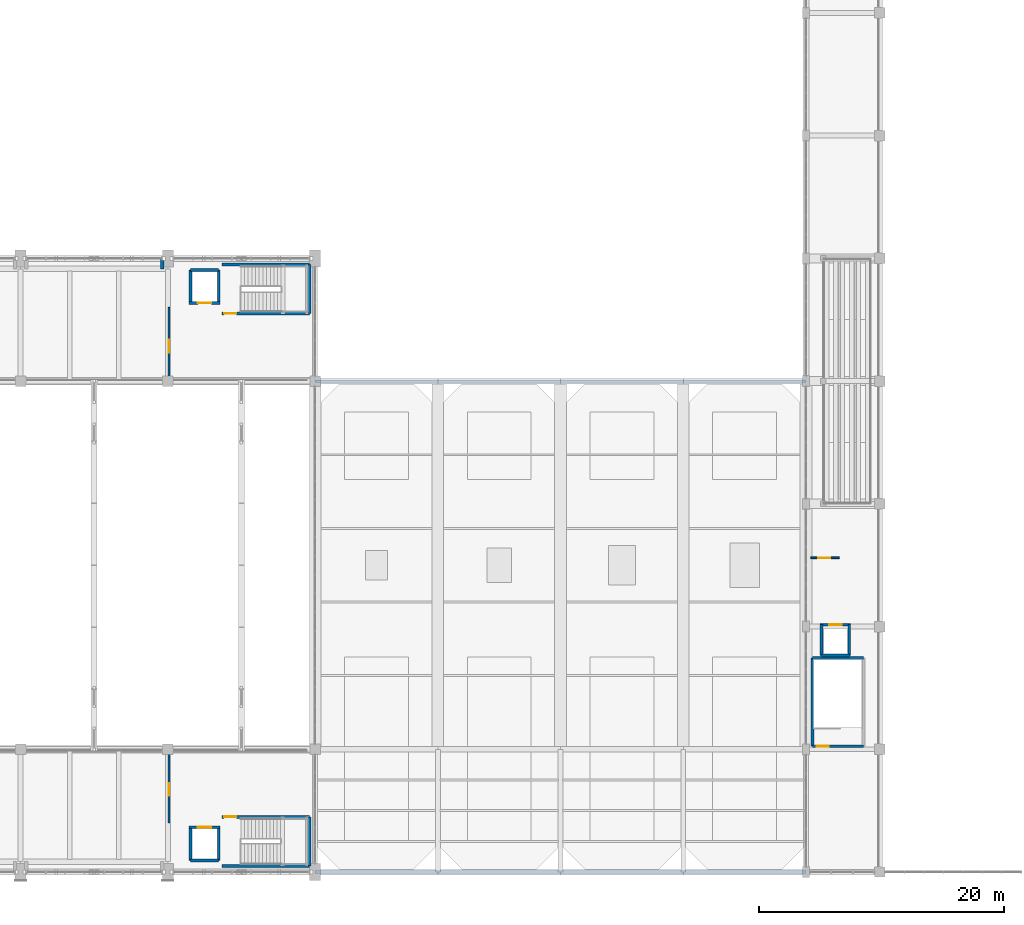
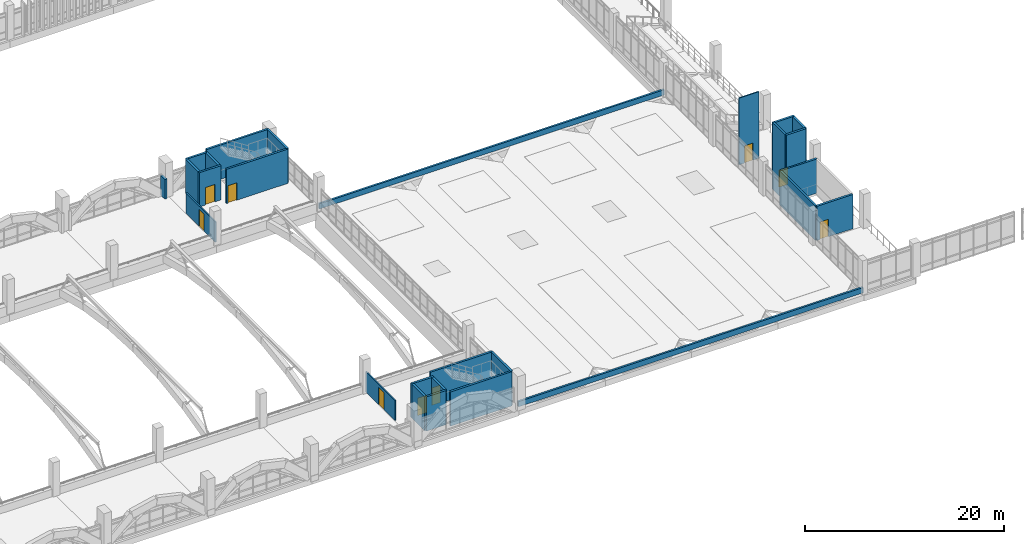
# One storey, part 146 of 161: 27 walls, 9 doors, 9 openings.
"""IFC4 building model written with IfcOpenShell, lengths in metres."""

from ifc_helpers import new_model, si_unit, direction, frame, frame_2d, origin, place, context, subcontext, project, spatial, rectangle, extrude, material, layer, layer_set, type_object, element, fill, save


model = new_model("IFC4")

# Units and contexts
model_context = context("Model", 3, precision=1e-05, world=origin(), true_north=direction((0.0, 1.0)))
body_context = subcontext(model_context, "Body", "Model", "MODEL_VIEW")
ifc_project = project(units=[si_unit("LENGTHUNIT", "METRE"), si_unit("AREAUNIT", "SQUARE_METRE"), si_unit("VOLUMEUNIT", "CUBIC_METRE"), si_unit("PLANEANGLEUNIT", "RADIAN"), si_unit("MASSUNIT", "GRAM", prefix="KILO")], contexts=[model_context])

# Site, building, storey
site_placement = place(None, origin())
site = spatial("IfcSite", under=ifc_project, at=site_placement, CompositionType="ELEMENT")
building_placement = place(site_placement, origin())
building = spatial("IfcBuilding", under=site, at=building_placement, Name="Mersad Railyard Sports Hall", CompositionType="ELEMENT")
storey_placement = place(building_placement, frame((0.0, 0.0, 4.800048828125)))
storey = spatial("IfcBuildingStorey", under=building, at=storey_placement, Name="L01", CompositionType="ELEMENT", Elevation=4.800048828125)

# Walls
ifc_material_1 = material(Name="Precast concrete C45/55", Category="concrete")
ifc_layer_1 = layer(ifc_material_1, 0.280029296875)
ifc_layer_set_1 = layer_set([ifc_layer_1], Name="Precast concrete C45/55")
wall_type_1 = type_object("IfcWallType", Name="ARC-WL-EW03", PredefinedType="SOLIDWALL", material=ifc_layer_set_1)
wall_1_placement = place(storey_placement, frame((78.550048828125, 53.5, 0.0), z_axis=(0.0, 0.0, 1.0), x_axis=(0.0, -1.0, 0.0)))
element("IfcWall", 1, at=wall_1_placement, inside=storey, type_object=wall_type_1, Name="External wall EW03-0050", PredefinedType="SOLIDWALL", context=body_context, shape_type="SweptSolid", body=[
    extrude(rectangle(XDim=0.85009765625, YDim=0.280029296875, at=frame_2d((0.425048828125, 0.0))), origin(), (0.0, 0.0, 1.0), 2.39990234375),
])
ifc_material_2 = material(Name="Architectural concrete C40/50", Category="concrete")
ifc_layer_2 = layer(ifc_material_2, 0.219970703125)
ifc_layer_set_2 = layer_set([ifc_layer_2], Name="Architectural concrete C40/50")
wall_type_2 = type_object("IfcWallType", Name="ARC-WL-PP01", PredefinedType="PARAPET", material=ifc_layer_set_2)
for number, where, z_axis, x_axis, name in (
    (2, (91.0, 3.5, 0.0), (0.0, 0.0, 1.0), (1.0, 0.0, 0.0), "External wall PP01-0156"),
    (3, (91.0, 43.5, 0.0), (0.0, 0.0, 1.0), (1.0, 0.0, 0.0), "External wall PP01-0157"),
):
    element("IfcWall", number, at=place(storey_placement, frame(where, z_axis=z_axis, x_axis=x_axis)), inside=storey, type_object=wall_type_2, Name=name, PredefinedType="PARAPET", context=body_context, shape_type="SweptSolid", body=[
        extrude(rectangle(XDim=40.0, YDim=0.219970703125, at=frame_2d((20.0, 0.0))), origin(), (0.0, 0.0, 1.0), 0.64990234375),
    ])

# Wall, opening, door
ifc_material_3 = material(Name="Gypsum plasterboard", Category="gypsum")
ifc_layer_3 = layer(ifc_material_3, 0.139892578125)
ifc_layer_set_3 = layer_set([ifc_layer_3], Name="Gypsum plasterboard")
wall_type_3 = type_object("IfcWallType", Name="ARC-WL-PT03", PredefinedType="PARTITIONING", material=ifc_layer_set_3)
wall_2_placement = place(storey_placement, frame((79.10009765625, 7.5, 0.0), z_axis=(0.0, 0.0, 1.0), x_axis=(0.0, 1.0, 0.0)))
wall_2 = element("IfcWall", 4, at=wall_2_placement, inside=storey, type_object=wall_type_3, Name="Interior wall PT03-0319", PredefinedType="PARTITIONING", context=body_context, shape_type="SweptSolid", body=[
    extrude(rectangle(XDim=5.89990234375, YDim=0.139892578125, at=frame_2d((2.949951171875, 0.0))), origin(), (0.0, 0.0, 1.0), 2.474853515625),
])
opening_1_placement = place(wall_2_placement, frame((2.199951171875, 0.0, 0.0)))
opening_1 = element("IfcOpeningElement", 5, at=opening_1_placement, cuts=wall_2, Name="Opening FD07", PredefinedType="OPENING", context=body_context, shape_type="SweptSolid", body=[
    extrude(rectangle(XDim=1.050048828125, YDim=2.10009765625, at=frame_2d((0.52490234375, 1.050048828125))), frame((0.0, 0.079833984375, 0.0), z_axis=(0.0, -1.0, 0.0), x_axis=(1.0, 0.0, 0.0)), (0.0, 0.0, 1.0), 0.159912109375),
])
ifc_material_4 = material(Name="Steel S355", Category="steel")
door_type_1 = type_object("IfcDoorType", Name="ARC-DR-FD07", OperationType="NOTDEFINED", PredefinedType="DOOR", material=ifc_material_4)
door_1_placement = place(opening_1_placement, origin())
door_1 = element("IfcDoor", 6, at=door_1_placement, inside=storey, type_object=door_type_1, Name="SE lift lobby door FD07-0145", OperationType="SINGLE_SWING_RIGHT", OverallHeight=2.10009765625, OverallWidth=1.050048828125, PredefinedType="DOOR", context=body_context, shape_type="SweptSolid", body=[
    extrude(rectangle(XDim=1.050048828125, YDim=2.10009765625, at=frame_2d((0.52490234375, 1.050048828125))), frame((0.0, 0.02490234375, 0.0), z_axis=(0.0, -1.0, 0.0), x_axis=(1.0, 0.0, 0.0)), (0.0, 0.0, 1.0), 0.050048828125),
])
fill(opening_1, door_1)

wall_3_placement = place(storey_placement, frame((79.10009765625, 43.60009765625, 0.0), z_axis=(0.0, 0.0, 1.0), x_axis=(0.0, 1.0, 0.0)))
wall_3 = element("IfcWall", 7, at=wall_3_placement, inside=storey, type_object=wall_type_3, Name="Interior wall PT03-0344", PredefinedType="PARTITIONING", context=body_context, shape_type="SweptSolid", body=[
    extrude(rectangle(XDim=5.89990234375, YDim=0.139892578125, at=frame_2d((2.949951171875, 0.0))), origin(), (0.0, 0.0, 1.0), 2.474853515625),
])
opening_2_placement = place(wall_3_placement, frame((2.199951171875, 0.0, 0.0)))
opening_2 = element("IfcOpeningElement", 8, at=opening_2_placement, cuts=wall_3, Name="Opening FD07", PredefinedType="OPENING", context=body_context, shape_type="SweptSolid", body=[
    extrude(rectangle(XDim=1.050048828125, YDim=2.10009765625, at=frame_2d((0.52490234375, 1.050048828125))), frame((0.0, 0.079833984375, 0.0), z_axis=(0.0, -1.0, 0.0), x_axis=(1.0, 0.0, 0.0)), (0.0, 0.0, 1.0), 0.159912109375),
])
door_2_placement = place(opening_2_placement, origin())
door_2 = element("IfcDoor", 9, at=door_2_placement, inside=storey, type_object=door_type_1, Name="NE lift lobby door FD07-0155", OperationType="SINGLE_SWING_RIGHT", OverallHeight=2.10009765625, OverallWidth=1.050048828125, PredefinedType="DOOR", context=body_context, shape_type="SweptSolid", body=[
    extrude(rectangle(XDim=1.050048828125, YDim=2.10009765625, at=frame_2d((0.52490234375, 1.050048828125))), frame((0.0, 0.02490234375, 0.0), z_axis=(0.0, -1.0, 0.0), x_axis=(1.0, 0.0, 0.0)), (0.0, 0.0, 1.0), 0.050048828125),
])
fill(opening_2, door_2)

wall_4_placement = place(storey_placement, frame((131.39990234375, 29.10009765625, 0.0), z_axis=(0.0, 0.0, 1.0), x_axis=(1.0, 0.0, 0.0)))
wall_4 = element("IfcWall", 10, at=wall_4_placement, inside=storey, type_object=wall_type_3, Name="Interior wall PT03-0375", PredefinedType="PARTITIONING", context=body_context, shape_type="SweptSolid", body=[
    extrude(rectangle(XDim=2.300048828125, YDim=0.139892578125, at=frame_2d((1.14990234375, 0.0))), origin(), (0.0, 0.0, 1.0), 8.169921875),
])
opening_3_placement = place(wall_4_placement, frame((0.60009765625, 0.0, 0.0)))
opening_3 = element("IfcOpeningElement", 11, at=opening_3_placement, cuts=wall_4, Name="Opening FD06", PredefinedType="OPENING", context=body_context, shape_type="SweptSolid", body=[
    extrude(rectangle(XDim=0.97998046875, YDim=2.10009765625, at=frame_2d((0.489990234375, 1.050048828125))), frame((0.0, 0.079833984375, 0.0), z_axis=(0.0, -1.0, 0.0), x_axis=(1.0, 0.0, 0.0)), (0.0, 0.0, 1.0), 0.159912109375),
])
door_type_2 = type_object("IfcDoorType", Name="ARC-DR-FD06", OperationType="NOTDEFINED", PredefinedType="DOOR", material=ifc_material_4)
door_3_placement = place(opening_3_placement, origin())
door_3 = element("IfcDoor", 12, at=door_3_placement, inside=storey, type_object=door_type_2, Name="Show court west lift lobby door FD06-0166", OperationType="SINGLE_SWING_LEFT", OverallHeight=2.10009765625, OverallWidth=0.97998046875, PredefinedType="DOOR", context=body_context, shape_type="SweptSolid", body=[
    extrude(rectangle(XDim=0.97998046875, YDim=2.10009765625, at=frame_2d((0.489990234375, 1.050048828125))), frame((0.0, 0.02490234375, 0.0), z_axis=(0.0, -1.0, 0.0), x_axis=(1.0, 0.0, 0.0)), (0.0, 0.0, 1.0), 0.050048828125),
])
fill(opening_3, door_3)

# Walls
ifc_material_5 = material(Name="Concrete C40/50", Category="concrete")
ifc_layer_4 = layer(ifc_material_5, 0.239990234375)
ifc_layer_set_4 = layer_set([ifc_layer_4], Name="Concrete C40/50")
wall_type_4 = type_object("IfcWallType", Name="STR-WL-SW03", PredefinedType="SHEAR", material=ifc_layer_set_4)
for number, where, z_axis, x_axis, name in (
    (13, (132.27490234375, 21.14990234375, 0.0), (0.0, 0.0, 1.0), (0.0, 1.0, 0.0), "Interior wall SW03-0096"),
    (14, (134.52490234375, 23.64990234375, 0.0), (0.0, 0.0, 1.0), (0.0, -1.0, 0.0), "Interior wall SW03-0097"),
):
    element("IfcWall", number, at=place(storey_placement, frame(where, z_axis=z_axis, x_axis=x_axis)), inside=storey, type_object=wall_type_4, Name=name, PredefinedType="SHEAR", context=body_context, shape_type="SweptSolid", body=[
        extrude(rectangle(XDim=2.5, YDim=0.239990234375, at=frame_2d((1.25, 0.0))), origin(), (0.0, 0.0, 1.0), 8.179931640625),
    ])
wall_5_placement = place(storey_placement, frame((134.52490234375, 21.14990234375, 0.0), z_axis=(0.0, 0.0, 1.0), x_axis=(-1.0, 0.0, 0.0)))
element("IfcWall", 15, at=wall_5_placement, inside=storey, type_object=wall_type_4, Name="Interior wall SW03-0098", PredefinedType="SHEAR", context=body_context, shape_type="SweptSolid", body=[
    extrude(rectangle(XDim=2.25, YDim=0.239990234375, at=frame_2d((1.125, 0.0))), origin(), (0.0, 0.0, 1.0), 8.179931640625),
])

# Wall, opening, door
wall_6_placement = place(storey_placement, frame((132.155029296875, 23.64990234375, 0.0), z_axis=(0.0, 0.0, 1.0), x_axis=(1.0, 0.0, 0.0)))
wall_6 = element("IfcWall", 16, at=wall_6_placement, inside=storey, type_object=wall_type_4, Name="Interior wall SW03-0099", PredefinedType="SHEAR", context=body_context, shape_type="SweptSolid", body=[
    extrude(rectangle(XDim=2.489990234375, YDim=0.239990234375, at=frame_2d((1.2451171875, 0.0))), origin(), (0.0, 0.0, 1.0), 8.179931640625),
])
opening_4_placement = place(wall_6_placement, frame((0.719970703125, 0.0, 0.0)))
opening_4 = element("IfcOpeningElement", 17, at=opening_4_placement, cuts=wall_6, Name="Opening LD04", PredefinedType="OPENING", context=body_context, shape_type="SweptSolid", body=[
    extrude(rectangle(XDim=1.050048828125, YDim=2.10009765625, at=frame_2d((0.52490234375, 1.050048828125))), frame((0.0, 0.1298828125, 0.0), z_axis=(0.0, -1.0, 0.0), x_axis=(1.0, 0.0, 0.0)), (0.0, 0.0, 1.0), 0.260009765625),
])
door_type_3 = type_object("IfcDoorType", Name="ARC-DR-LD04", OperationType="NOTDEFINED", PredefinedType="USERDEFINED", material=ifc_material_4)
door_4_placement = place(opening_4_placement, origin())
door_4 = element("IfcDoor", 18, at=door_4_placement, inside=storey, type_object=door_type_3, Name="Lift PL-05 landing door LD04-0026", ObjectType="LANDING DOOR", OperationType="DOUBLE_DOOR_SLIDING", OverallHeight=2.10009765625, OverallWidth=1.050048828125, PredefinedType="USERDEFINED", context=body_context, shape_type="SweptSolid", body=[
    extrude(rectangle(XDim=1.050048828125, YDim=2.10009765625, at=frame_2d((0.52490234375, 1.050048828125))), frame((0.0, 0.02490234375, 0.0), z_axis=(0.0, -1.0, 0.0), x_axis=(1.0, 0.0, 0.0)), (0.0, 0.0, 1.0), 0.050048828125),
])
fill(opening_4, door_4)

# Walls
for number, where, z_axis, x_axis, name in (
    (19, (80.85009765625, 4.449951171875, 0.0), (0.0, 0.0, 1.0), (0.0, 1.0, 0.0), "Interior wall SW03-0121"),
    (20, (83.14990234375, 7.14990234375, 0.0), (0.0, 0.0, 1.0), (0.0, -1.0, 0.0), "Interior wall SW03-0122"),
):
    element("IfcWall", number, at=place(storey_placement, frame(where, z_axis=z_axis, x_axis=x_axis)), inside=storey, type_object=wall_type_4, Name=name, PredefinedType="SHEAR", context=body_context, shape_type="SweptSolid", body=[
        extrude(rectangle(XDim=2.699951171875, YDim=0.239990234375, at=frame_2d((1.35009765625, 0.0))), origin(), (0.0, 0.0, 1.0), 4.199951171875),
    ])
wall_7_placement = place(storey_placement, frame((83.14990234375, 4.449951171875, 0.0), z_axis=(0.0, 0.0, 1.0), x_axis=(-1.0, 0.0, 0.0)))
element("IfcWall", 21, at=wall_7_placement, inside=storey, type_object=wall_type_4, Name="Interior wall SW03-0123", PredefinedType="SHEAR", context=body_context, shape_type="SweptSolid", body=[
    extrude(rectangle(XDim=2.2998046875, YDim=0.239990234375, at=frame_2d((1.14990234375, 0.0))), origin(), (0.0, 0.0, 1.0), 4.199951171875),
])

# Wall, opening, door
wall_8_placement = place(storey_placement, frame((80.72998046875, 7.14990234375, 0.0), z_axis=(0.0, 0.0, 1.0), x_axis=(1.0, 0.0, 0.0)))
wall_8 = element("IfcWall", 22, at=wall_8_placement, inside=storey, type_object=wall_type_4, Name="Interior wall SW03-0124", PredefinedType="SHEAR", context=body_context, shape_type="SweptSolid", body=[
    extrude(rectangle(XDim=2.5400390625, YDim=0.239990234375, at=frame_2d((1.27001953125, 0.0))), origin(), (0.0, 0.0, 1.0), 4.199951171875),
])
opening_5_placement = place(wall_8_placement, frame((0.719970703125, 0.0, 0.0)))
opening_5 = element("IfcOpeningElement", 23, at=opening_5_placement, cuts=wall_8, Name="Opening LD01", PredefinedType="OPENING", context=body_context, shape_type="SweptSolid", body=[
    extrude(rectangle(XDim=1.10009765625, YDim=2.14990234375, at=frame_2d((0.550048828125, 1.074951171875))), frame((0.0, 0.1298828125, 0.0), z_axis=(0.0, -1.0, 0.0), x_axis=(1.0, 0.0, 0.0)), (0.0, 0.0, 1.0), 0.260009765625),
])
door_type_4 = type_object("IfcDoorType", Name="ARC-DR-LD01", OperationType="NOTDEFINED", PredefinedType="USERDEFINED", material=ifc_material_4)
door_5_placement = place(opening_5_placement, origin())
door_5 = element("IfcDoor", 24, at=door_5_placement, inside=storey, type_object=door_type_4, Name="Lift PL-08 landing door LD01-0033", ObjectType="LANDING DOOR", OperationType="DOUBLE_DOOR_SLIDING", OverallHeight=2.14990234375, OverallWidth=1.10009765625, PredefinedType="USERDEFINED", context=body_context, shape_type="SweptSolid", body=[
    extrude(rectangle(XDim=1.10009765625, YDim=2.14990234375, at=frame_2d((0.550048828125, 1.074951171875))), frame((0.0, 0.02490234375, 0.0), z_axis=(0.0, -1.0, 0.0), x_axis=(1.0, 0.0, 0.0)), (0.0, 0.0, 1.0), 0.050048828125),
])
fill(opening_5, door_5)

# Walls
for number, where, z_axis, x_axis, name in (
    (25, (80.85009765625, 49.85009765625, 0.0), (0.0, 0.0, 1.0), (0.0, 1.0, 0.0), "Interior wall SW03-0143"),
    (26, (83.14990234375, 52.550048828125, 0.0), (0.0, 0.0, 1.0), (0.0, -1.0, 0.0), "Interior wall SW03-0144"),
):
    element("IfcWall", number, at=place(storey_placement, frame(where, z_axis=z_axis, x_axis=x_axis)), inside=storey, type_object=wall_type_4, Name=name, PredefinedType="SHEAR", context=body_context, shape_type="SweptSolid", body=[
        extrude(rectangle(XDim=2.699951171875, YDim=0.239990234375, at=frame_2d((1.35009765625, 0.0))), origin(), (0.0, 0.0, 1.0), 4.199951171875),
    ])
wall_9_placement = place(storey_placement, frame((80.85009765625, 52.550048828125, 0.0), z_axis=(0.0, 0.0, 1.0), x_axis=(1.0, 0.0, 0.0)))
element("IfcWall", 27, at=wall_9_placement, inside=storey, type_object=wall_type_4, Name="Interior wall SW03-0145", PredefinedType="SHEAR", context=body_context, shape_type="SweptSolid", body=[
    extrude(rectangle(XDim=2.2998046875, YDim=0.239990234375, at=frame_2d((1.14990234375, 0.0))), origin(), (0.0, 0.0, 1.0), 4.199951171875),
])

# Wall, opening, door
wall_10_placement = place(storey_placement, frame((83.27001953125, 49.85009765625, 0.0), z_axis=(0.0, 0.0, 1.0), x_axis=(-1.0, 0.0, 0.0)))
wall_10 = element("IfcWall", 28, at=wall_10_placement, inside=storey, type_object=wall_type_4, Name="Interior wall SW03-0146", PredefinedType="SHEAR", context=body_context, shape_type="SweptSolid", body=[
    extrude(rectangle(XDim=2.5400390625, YDim=0.239990234375, at=frame_2d((1.27001953125, 0.0))), origin(), (0.0, 0.0, 1.0), 4.199951171875),
])
opening_6_placement = place(wall_10_placement, frame((0.719970703125, 0.0, 0.0)))
opening_6 = element("IfcOpeningElement", 29, at=opening_6_placement, cuts=wall_10, Name="Opening LD01", PredefinedType="OPENING", context=body_context, shape_type="SweptSolid", body=[
    extrude(rectangle(XDim=1.10009765625, YDim=2.14990234375, at=frame_2d((0.550048828125, 1.074951171875))), frame((0.0, 0.1298828125, 0.0), z_axis=(0.0, -1.0, 0.0), x_axis=(1.0, 0.0, 0.0)), (0.0, 0.0, 1.0), 0.260009765625),
])
door_6_placement = place(opening_6_placement, origin())
door_6 = element("IfcDoor", 30, at=door_6_placement, inside=storey, type_object=door_type_4, Name="Lift PL-10 landing door LD01-0039", ObjectType="LANDING DOOR", OperationType="DOUBLE_DOOR_SLIDING", OverallHeight=2.14990234375, OverallWidth=1.10009765625, PredefinedType="USERDEFINED", context=body_context, shape_type="SweptSolid", body=[
    extrude(rectangle(XDim=1.10009765625, YDim=2.14990234375, at=frame_2d((0.550048828125, 1.074951171875))), frame((0.0, 0.02490234375, 0.0), z_axis=(0.0, -1.0, 0.0), x_axis=(1.0, 0.0, 0.0)), (0.0, 0.0, 1.0), 0.050048828125),
])
fill(opening_6, door_6)

# Walls
wall_11_placement = place(storey_placement, frame((90.550048828125, 4.0, 0.0), z_axis=(0.0, 0.0, 1.0), x_axis=(0.0, 1.0, 0.0)))
element("IfcWall", 31, at=wall_11_placement, inside=storey, type_object=wall_type_4, Name="Interior wall SW03-0316", PredefinedType="SHEAR", context=body_context, shape_type="SweptSolid", body=[
    extrude(rectangle(XDim=4.0, YDim=0.239990234375, at=frame_2d((2.0, 0.0))), origin(), (0.0, 0.0, 1.0), 4.199951171875),
])
wall_12_placement = place(storey_placement, frame((83.39990234375, 4.0, 0.0), z_axis=(0.0, 0.0, 1.0), x_axis=(1.0, 0.0, 0.0)))
element("IfcWall", 32, at=wall_12_placement, inside=storey, type_object=wall_type_4, Name="Interior wall SW03-0317", PredefinedType="SHEAR", context=body_context, shape_type="SweptSolid", body=[
    extrude(rectangle(XDim=7.150146484375, YDim=0.239990234375, at=frame_2d((3.5751953125, 0.0))), origin(), (0.0, 0.0, 1.0), 4.199951171875),
])

# Wall, opening, door
wall_13_placement = place(storey_placement, frame((83.39990234375, 8.0, 0.0), z_axis=(0.0, 0.0, 1.0), x_axis=(1.0, 0.0, 0.0)))
wall_13 = element("IfcWall", 33, at=wall_13_placement, inside=storey, type_object=wall_type_4, Name="Interior wall SW03-0318", PredefinedType="SHEAR", context=body_context, shape_type="SweptSolid", body=[
    extrude(rectangle(XDim=7.150146484375, YDim=0.239990234375, at=frame_2d((3.5751953125, 0.0))), origin(), (0.0, 0.0, 1.0), 4.199951171875),
])
opening_7_placement = place(wall_13_placement, frame((0.179931640625, 0.0, 0.0)))
opening_7 = element("IfcOpeningElement", 34, at=opening_7_placement, cuts=wall_13, Name="Opening FD02", PredefinedType="OPENING", context=body_context, shape_type="SweptSolid", body=[
    extrude(rectangle(XDim=1.0, YDim=2.14990234375, at=frame_2d((0.5, 1.074951171875))), frame((0.0, 0.1298828125, 0.0), z_axis=(0.0, -1.0, 0.0), x_axis=(1.0, 0.0, 0.0)), (0.0, 0.0, 1.0), 0.260009765625),
])
door_type_5 = type_object("IfcDoorType", Name="ARC-DR-FD02", OperationType="NOTDEFINED", PredefinedType="DOOR", material=ifc_material_4)
door_7_placement = place(opening_7_placement, origin())
door_7 = element("IfcDoor", 35, at=door_7_placement, inside=storey, type_object=door_type_5, Name="SE pavilion stair door FD02-0144", OperationType="SINGLE_SWING_LEFT", OverallHeight=2.14990234375, OverallWidth=1.0, PredefinedType="DOOR", context=body_context, shape_type="SweptSolid", body=[
    extrude(rectangle(XDim=1.0, YDim=2.14990234375, at=frame_2d((0.5, 1.074951171875))), frame((0.0, 0.02490234375, 0.0), z_axis=(0.0, -1.0, 0.0), x_axis=(1.0, 0.0, 0.0)), (0.0, 0.0, 1.0), 0.050048828125),
])
fill(opening_7, door_7)

# Walls
wall_14_placement = place(storey_placement, frame((90.550048828125, 49.0, 0.0), z_axis=(0.0, 0.0, 1.0), x_axis=(0.0, 1.0, 0.0)))
element("IfcWall", 36, at=wall_14_placement, inside=storey, type_object=wall_type_4, Name="Interior wall SW03-0341", PredefinedType="SHEAR", context=body_context, shape_type="SweptSolid", body=[
    extrude(rectangle(XDim=4.0, YDim=0.239990234375, at=frame_2d((2.0, 0.0))), origin(), (0.0, 0.0, 1.0), 4.199951171875),
])
wall_15_placement = place(storey_placement, frame((83.39990234375, 53.0, 0.0), z_axis=(0.0, 0.0, 1.0), x_axis=(1.0, 0.0, 0.0)))
element("IfcWall", 37, at=wall_15_placement, inside=storey, type_object=wall_type_4, Name="Interior wall SW03-0342", PredefinedType="SHEAR", context=body_context, shape_type="SweptSolid", body=[
    extrude(rectangle(XDim=7.150146484375, YDim=0.239990234375, at=frame_2d((3.5751953125, 0.0))), origin(), (0.0, 0.0, 1.0), 4.199951171875),
])

# Wall, opening, door
wall_16_placement = place(storey_placement, frame((83.39990234375, 49.0, 0.0), z_axis=(0.0, 0.0, 1.0), x_axis=(1.0, 0.0, 0.0)))
wall_16 = element("IfcWall", 38, at=wall_16_placement, inside=storey, type_object=wall_type_4, Name="Interior wall SW03-0343", PredefinedType="SHEAR", context=body_context, shape_type="SweptSolid", body=[
    extrude(rectangle(XDim=7.150146484375, YDim=0.239990234375, at=frame_2d((3.5751953125, 0.0))), origin(), (0.0, 0.0, 1.0), 4.199951171875),
])
opening_8_placement = place(wall_16_placement, frame((0.179931640625, 0.0, 0.0)))
opening_8 = element("IfcOpeningElement", 39, at=opening_8_placement, cuts=wall_16, Name="Opening FD02", PredefinedType="OPENING", context=body_context, shape_type="SweptSolid", body=[
    extrude(rectangle(XDim=1.0, YDim=2.14990234375, at=frame_2d((0.5, 1.074951171875))), frame((0.0, 0.1298828125, 0.0), z_axis=(0.0, -1.0, 0.0), x_axis=(1.0, 0.0, 0.0)), (0.0, 0.0, 1.0), 0.260009765625),
])
door_8_placement = place(opening_8_placement, origin())
door_8 = element("IfcDoor", 40, at=door_8_placement, inside=storey, type_object=door_type_5, Name="NE pavilion stair door FD02-0154", OperationType="SINGLE_SWING_LEFT", OverallHeight=2.14990234375, OverallWidth=1.0, PredefinedType="DOOR", context=body_context, shape_type="SweptSolid", body=[
    extrude(rectangle(XDim=1.0, YDim=2.14990234375, at=frame_2d((0.5, 1.074951171875))), frame((0.0, 0.02490234375, 0.0), z_axis=(0.0, -1.0, 0.0), x_axis=(1.0, 0.0, 0.0)), (0.0, 0.0, 1.0), 0.050048828125),
])
fill(opening_8, door_8)

# Walls
wall_17_placement = place(storey_placement, frame((131.52001953125, 13.75, 0.0), z_axis=(0.0, 0.0, 1.0), x_axis=(0.0, 1.0, 0.0)))
element("IfcWall", 41, at=wall_17_placement, inside=storey, type_object=wall_type_4, Name="Interior wall SW03-0352", PredefinedType="SHEAR", context=body_context, shape_type="SweptSolid", body=[
    extrude(rectangle(XDim=7.199951171875, YDim=0.239990234375, at=frame_2d((3.60009765625, 0.0))), origin(), (0.0, 0.0, 1.0), 4.199951171875),
])
wall_18_placement = place(storey_placement, frame((131.52001953125, 20.949951171875, 0.0), z_axis=(0.0, 0.0, 1.0), x_axis=(1.0, 0.0, 0.0)))
element("IfcWall", 42, at=wall_18_placement, inside=storey, type_object=wall_type_4, Name="Interior wall SW03-0354", PredefinedType="SHEAR", context=body_context, shape_type="SweptSolid", body=[
    extrude(rectangle(XDim=4.159912109375, YDim=0.239990234375, at=frame_2d((2.080078125, 0.0))), origin(), (0.0, 0.0, 1.0), 4.199951171875),
])

# Wall, opening, door
wall_19_placement = place(storey_placement, frame((131.52001953125, 13.75, 0.0), z_axis=(0.0, 0.0, 1.0), x_axis=(1.0, 0.0, 0.0)))
wall_19 = element("IfcWall", 43, at=wall_19_placement, inside=storey, type_object=wall_type_4, Name="Interior wall SW03-0355", PredefinedType="SHEAR", context=body_context, shape_type="SweptSolid", body=[
    extrude(rectangle(XDim=4.159912109375, YDim=0.239990234375, at=frame_2d((2.080078125, 0.0))), origin(), (0.0, 0.0, 1.0), 4.199951171875),
])
opening_9_placement = place(wall_19_placement, frame((0.35009765625, 0.0, 0.0)))
opening_9 = element("IfcOpeningElement", 44, at=opening_9_placement, cuts=wall_19, Name="Opening FD02", PredefinedType="OPENING", context=body_context, shape_type="SweptSolid", body=[
    extrude(rectangle(XDim=1.0, YDim=2.14990234375, at=frame_2d((0.5, 1.074951171875))), frame((0.0, 0.1298828125, 0.0), z_axis=(0.0, -1.0, 0.0), x_axis=(1.0, 0.0, 0.0)), (0.0, 0.0, 1.0), 0.260009765625),
])
door_9_placement = place(opening_9_placement, origin())
door_9 = element("IfcDoor", 45, at=door_9_placement, inside=storey, type_object=door_type_5, Name="C5 stair door FD02-0158", OperationType="SINGLE_SWING_LEFT", OverallHeight=2.14990234375, OverallWidth=1.0, PredefinedType="DOOR", context=body_context, shape_type="SweptSolid", body=[
    extrude(rectangle(XDim=1.0, YDim=2.14990234375, at=frame_2d((0.5, 1.074951171875))), frame((0.0, 0.02490234375, 0.0), z_axis=(0.0, -1.0, 0.0), x_axis=(1.0, 0.0, 0.0)), (0.0, 0.0, 1.0), 0.050048828125),
])
fill(opening_9, door_9)

save(model, "model.ifc")
